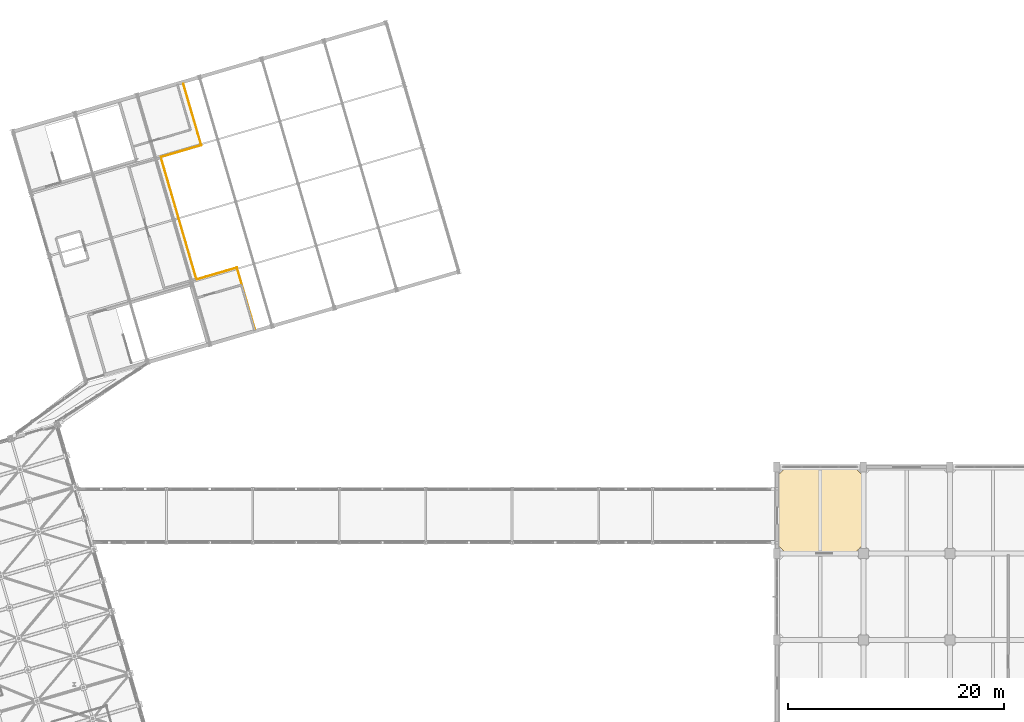
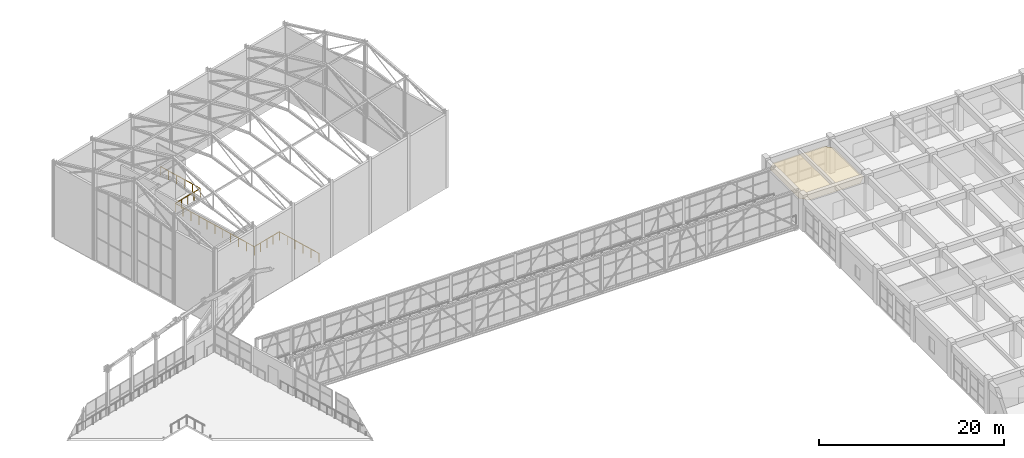
# One storey, part 244 of 248: 1 covering, 1 railing.
"""IFC4 building model written with IfcOpenShell, lengths in metres."""

from ifc_helpers import new_model, si_unit, direction, frame, origin, origin_2d, place, context, subcontext, project, spatial, polyline, circle, outline, extrude, material, layer, layer_set, type_object, element, save


model = new_model("IFC4")

# Units and contexts
model_context = context("Model", 3, precision=1e-05, world=origin(), true_north=direction((0.0, 1.0)))
body_context = subcontext(model_context, "Body", "Model", "MODEL_VIEW")
ifc_project = project(units=[si_unit("LENGTHUNIT", "METRE"), si_unit("AREAUNIT", "SQUARE_METRE"), si_unit("VOLUMEUNIT", "CUBIC_METRE"), si_unit("PLANEANGLEUNIT", "RADIAN"), si_unit("MASSUNIT", "GRAM", prefix="KILO")], contexts=[model_context])

# Site, building, storey
site_placement = place(None, origin())
site = spatial("IfcSite", under=ifc_project, at=site_placement, CompositionType="ELEMENT")
building_placement = place(site_placement, origin())
building = spatial("IfcBuilding", under=site, at=building_placement, Name="Canggui Botanical Conservatory", CompositionType="ELEMENT")
storey_placement = place(building_placement, frame((0.0, 0.0, 5.39990234375)))
storey = spatial("IfcBuildingStorey", under=building, at=storey_placement, Name="L02", CompositionType="ELEMENT", Elevation=5.39990234375)

# Covering
ifc_material_1 = material(Name="Perforated Gypsum Acoustic Panel")
ifc_layer = layer(ifc_material_1, 0.02001953125, Name="Perforated Gypsum Acoustic Panel")
ifc_layer_set = layer_set([ifc_layer], Name="Perforated Gypsum Acoustic Panel")
covering_type = type_object("IfcCoveringType", Name="COV-CEIL-20", PredefinedType="CEILING", material=ifc_layer_set)
covering_placement = place(storey_placement, frame((0.0, 0.0, 3.550048828125)))
element("IfcCovering", 1, at=covering_placement, inside=storey, type_object=covering_type, Name="Suspended Acoustic Ceiling L02-130-74", PredefinedType="CEILING", context=body_context, shape_type="SweptSolid", body=[
    extrude(outline(polyline([(130.85009765625, 74.0), (137.14990234375, 74.0), (138.0, 74.85009765625), (138.0, 81.14990234375), (137.14990234375, 82.0), (130.85009765625, 82.0), (130.0, 81.14990234375), (130.0, 74.85009765625), (130.85009765625, 74.0)])), origin(), (0.0, 0.0, 1.0), 0.02001953125),
])

# Railing
ifc_material_2 = material(Name="Laminated Safety Glass", Category="glass")
railing_type = type_object("IfcRailingType", Name="RAIL-VOID-1150", PredefinedType="BALUSTRADE", material=ifc_material_2)
railing_placement = place(storey_placement, frame((81.68798828125, 94.783935546875, 0.0)))
element("IfcRailing", 2, at=railing_placement, inside=storey, type_object=railing_type, Name="Auditorium L02 Balcony Front Balustrade", PredefinedType="BALUSTRADE", context=body_context, shape_type="SweptSolid", body=[
    extrude(circle(Radius=0.02392578125, at=origin_2d()), frame((0.0, 0.0, 1.1259765625), z_axis=(-0.28001271165, 0.959996292344, 0.0), x_axis=(-0.959996292344, -0.28001271165, 0.0)), (0.0, 0.0, 1.0), 5.900146484375),
    extrude(circle(Radius=0.02392578125, at=origin_2d()), frame((-1.652099609375, 5.6640625, 1.1259765625), z_axis=(-0.959995091889, -0.280016827259, 0.0), x_axis=(0.280016827259, -0.959995091889, 0.0)), (0.0, 0.0, 1.0), 3.89990234375),
    extrude(circle(Radius=0.02392578125, at=origin_2d()), frame((-5.39599609375, 4.572021484375, 1.1259765625), z_axis=(-0.27999364412, 0.960001853776, 0.0), x_axis=(-0.960001853776, -0.27999364412, 0.0)), (0.0, 0.0, 1.0), 11.800048828125),
    extrude(circle(Radius=0.02392578125, at=origin_2d()), frame((-8.699951171875, 15.900146484375, 1.1259765625), z_axis=(0.960011918678, 0.279959132724, 0.0), x_axis=(-0.279959132724, 0.960011918678, 0.0)), (0.0, 0.0, 1.0), 3.89990234375),
    extrude(circle(Radius=0.02392578125, at=origin_2d()), frame((-4.9560546875, 16.991943359375, 1.1259765625), z_axis=(-0.279974576257, 0.960007414893, 0.0), x_axis=(-0.960007414893, -0.279974576257, 0.0)), (0.0, 0.0, 1.0), 5.89990234375),
    extrude(circle(Radius=0.02099609375, at=origin_2d()), origin(), (0.0, 0.0, 1.0), 1.101806640625),
    extrude(circle(Radius=0.02099609375, at=origin_2d()), frame((-0.330322265625, 1.1328125, 0.0)), (0.0, 0.0, 1.0), 1.101806640625),
    extrude(circle(Radius=0.02099609375, at=origin_2d()), frame((-0.660888671875, 2.265625, 0.0)), (0.0, 0.0, 1.0), 1.101806640625),
    extrude(circle(Radius=0.02099609375, at=origin_2d()), frame((-0.9912109375, 3.3984375, 0.0)), (0.0, 0.0, 1.0), 1.101806640625),
    extrude(circle(Radius=0.02099609375, at=origin_2d()), frame((-1.32177734375, 4.53125, 0.0)), (0.0, 0.0, 1.0), 1.101806640625),
    extrude(circle(Radius=0.02099609375, at=origin_2d()), frame((-1.652099609375, 5.6640625, 0.0)), (0.0, 0.0, 1.0), 1.101806640625),
    extrude(circle(Radius=0.02099609375, at=origin_2d()), frame((-2.588134765625, 5.39111328125, 0.0)), (0.0, 0.0, 1.0), 1.101806640625),
    extrude(circle(Radius=0.02099609375, at=origin_2d()), frame((-3.52392578125, 5.1181640625, 0.0)), (0.0, 0.0, 1.0), 1.101806640625),
    extrude(circle(Radius=0.02099609375, at=origin_2d()), frame((-4.4599609375, 4.844970703125, 0.0)), (0.0, 0.0, 1.0), 1.101806640625),
    extrude(circle(Radius=0.02099609375, at=origin_2d()), frame((-5.39599609375, 4.572021484375, 0.0)), (0.0, 0.0, 1.0), 1.101806640625),
    extrude(circle(Radius=0.02099609375, at=origin_2d()), frame((-5.726318359375, 5.704833984375, 0.0)), (0.0, 0.0, 1.0), 1.101806640625),
    extrude(circle(Radius=0.02099609375, at=origin_2d()), frame((-6.056884765625, 6.837646484375, 0.0)), (0.0, 0.0, 1.0), 1.101806640625),
    extrude(circle(Radius=0.02099609375, at=origin_2d()), frame((-6.38720703125, 7.970458984375, 0.0)), (0.0, 0.0, 1.0), 1.101806640625),
    extrude(circle(Radius=0.02099609375, at=origin_2d()), frame((-6.717529296875, 9.103271484375, 0.0)), (0.0, 0.0, 1.0), 1.101806640625),
    extrude(circle(Radius=0.02099609375, at=origin_2d()), frame((-7.0478515625, 10.236083984375, 0.0)), (0.0, 0.0, 1.0), 1.101806640625),
    extrude(circle(Radius=0.02099609375, at=origin_2d()), frame((-7.37841796875, 11.368896484375, 0.0)), (0.0, 0.0, 1.0), 1.101806640625),
    extrude(circle(Radius=0.02099609375, at=origin_2d()), frame((-7.708740234375, 12.501708984375, 0.0)), (0.0, 0.0, 1.0), 1.101806640625),
    extrude(circle(Radius=0.02099609375, at=origin_2d()), frame((-8.0390625, 13.634521484375, 0.0)), (0.0, 0.0, 1.0), 1.101806640625),
    extrude(circle(Radius=0.02099609375, at=origin_2d()), frame((-8.36962890625, 14.767333984375, 0.0)), (0.0, 0.0, 1.0), 1.101806640625),
    extrude(circle(Radius=0.02099609375, at=origin_2d()), frame((-8.699951171875, 15.900146484375, 0.0)), (0.0, 0.0, 1.0), 1.101806640625),
    extrude(circle(Radius=0.02099609375, at=origin_2d()), frame((-7.763916015625, 16.173095703125, 0.0)), (0.0, 0.0, 1.0), 1.101806640625),
    extrude(circle(Radius=0.02099609375, at=origin_2d()), frame((-6.828125, 16.446044921875, 0.0)), (0.0, 0.0, 1.0), 1.101806640625),
    extrude(circle(Radius=0.02099609375, at=origin_2d()), frame((-5.89208984375, 16.718994140625, 0.0)), (0.0, 0.0, 1.0), 1.101806640625),
    extrude(circle(Radius=0.02099609375, at=origin_2d()), frame((-4.9560546875, 16.991943359375, 0.0)), (0.0, 0.0, 1.0), 1.101806640625),
    extrude(circle(Radius=0.02099609375, at=origin_2d()), frame((-5.286376953125, 18.124755859375, 0.0)), (0.0, 0.0, 1.0), 1.101806640625),
    extrude(circle(Radius=0.02099609375, at=origin_2d()), frame((-5.61669921875, 19.257568359375, 0.0)), (0.0, 0.0, 1.0), 1.101806640625),
    extrude(circle(Radius=0.02099609375, at=origin_2d()), frame((-5.947265625, 20.390380859375, 0.0)), (0.0, 0.0, 1.0), 1.101806640625),
    extrude(circle(Radius=0.02099609375, at=origin_2d()), frame((-6.277587890625, 21.523193359375, 0.0)), (0.0, 0.0, 1.0), 1.101806640625),
    extrude(circle(Radius=0.02099609375, at=origin_2d()), frame((-6.60791015625, 22.656005859375, 0.0)), (0.0, 0.0, 1.0), 1.101806640625),
])

save(model, "model.ifc")
